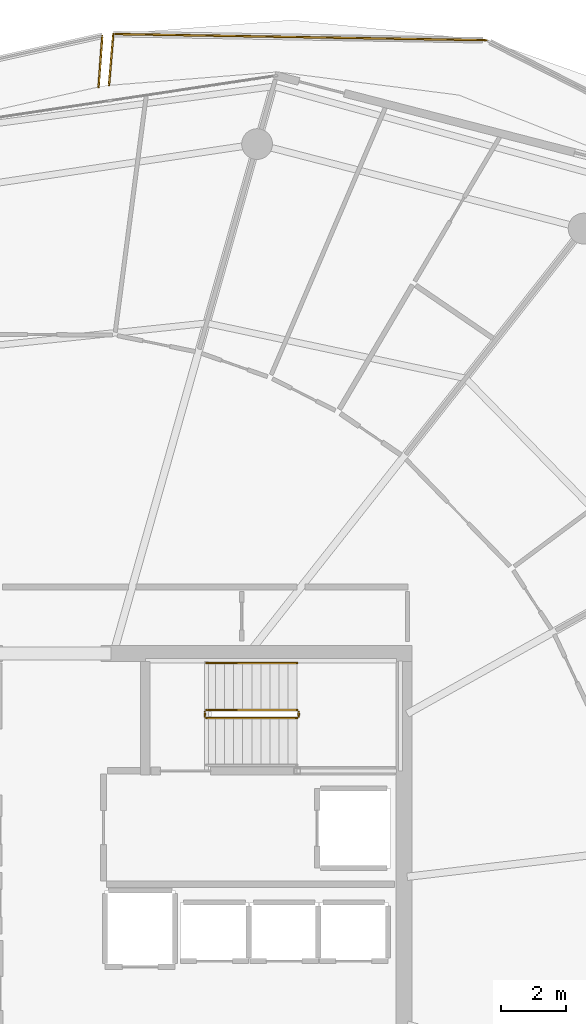
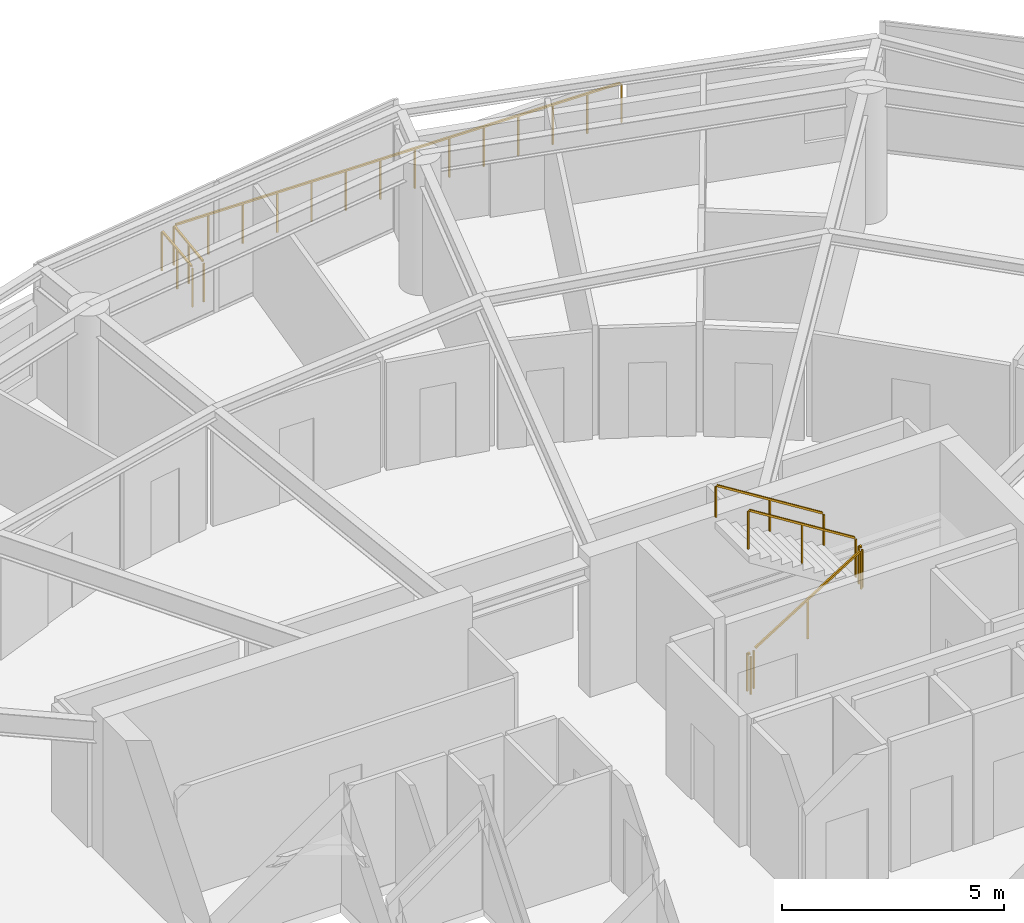
# One storey, part 29 of 30: 8 railings.
"""IFC4 building model written with IfcOpenShell, lengths in metres."""

from ifc_helpers import new_model, si_unit, direction, frame, origin, origin_2d, place, context, subcontext, project, spatial, rectangle, extrude, material, type_object, element, save


model = new_model("IFC4")

# Units and contexts
model_context = context("Model", 3, precision=1e-05, world=origin(), true_north=direction((0.0, 1.0)))
body_context = subcontext(model_context, "Body", "Model", "MODEL_VIEW")
ifc_project = project(units=[si_unit("LENGTHUNIT", "METRE"), si_unit("AREAUNIT", "SQUARE_METRE"), si_unit("VOLUMEUNIT", "CUBIC_METRE"), si_unit("PLANEANGLEUNIT", "RADIAN"), si_unit("MASSUNIT", "GRAM", prefix="KILO")], contexts=[model_context])

# Site, building, storey
site_placement = place(None, origin())
site = spatial("IfcSite", under=ifc_project, at=site_placement, CompositionType="ELEMENT")
building_placement = place(site_placement, origin())
building = spatial("IfcBuilding", under=site, at=building_placement, Name="Kazma Halo Residences", CompositionType="ELEMENT")
storey_placement = place(building_placement, frame((0.0, 0.0, 298.300048828125)))
storey = spatial("IfcBuildingStorey", under=building, at=storey_placement, Name="L75", CompositionType="ELEMENT", Elevation=298.300048828125)

# Railings
ifc_material_1 = material(Name="Aluminium AW-6063 T6 Brushed Cap Rail", Category="aluminium")
railing_type_1 = type_object("IfcRailingType", Name="RLG-BAL-CAP-1120", PredefinedType="BALUSTRADE", material=ifc_material_1)
railing_1_placement = place(storey_placement, frame((61.852783203125, 69.1875, 0.0)))
element("IfcRailing", 1, at=railing_1_placement, inside=storey, type_object=railing_type_1, Name="L75 NE wave balcony guard 3", PredefinedType="BALUSTRADE", context=body_context, shape_type="SweptSolid", body=[
    extrude(rectangle(XDim=0.050048828125, YDim=0.050048828125, at=origin_2d()), frame((-0.04248046875, 0.000732421875, 1.09521484375), z_axis=(-0.999862231462, 0.01659873776, 0.0), x_axis=(-0.01659873776, -0.999862231462, 0.0)), (0.0, 0.0, 1.0), 11.4462890625),
    extrude(rectangle(XDim=0.0400390625, YDim=0.0400390625, at=origin_2d()), origin(), (0.0, 0.0, 1.0), 1.05810546875),
    extrude(rectangle(XDim=0.0400390625, YDim=0.0400390625, at=origin_2d()), frame((-0.886962890625, 0.0146484375, 0.0)), (0.0, 0.0, 1.0), 1.05810546875),
    extrude(rectangle(XDim=0.0400390625, YDim=0.0400390625, at=origin_2d()), frame((-1.77392578125, 0.029541015625, 0.0)), (0.0, 0.0, 1.0), 1.05810546875),
    extrude(rectangle(XDim=0.0400390625, YDim=0.0400390625, at=origin_2d()), frame((-2.66064453125, 0.044189453125, 0.0)), (0.0, 0.0, 1.0), 1.05810546875),
    extrude(rectangle(XDim=0.0400390625, YDim=0.0400390625, at=origin_2d()), frame((-3.547607421875, 0.058837890625, 0.0)), (0.0, 0.0, 1.0), 1.05810546875),
    extrude(rectangle(XDim=0.0400390625, YDim=0.0400390625, at=origin_2d()), frame((-4.4345703125, 0.07373046875, 0.0)), (0.0, 0.0, 1.0), 1.05810546875),
    extrude(rectangle(XDim=0.0400390625, YDim=0.0400390625, at=origin_2d()), frame((-5.321533203125, 0.08837890625, 0.0)), (0.0, 0.0, 1.0), 1.05810546875),
    extrude(rectangle(XDim=0.0400390625, YDim=0.0400390625, at=origin_2d()), frame((-6.208251953125, 0.10302734375, 0.0)), (0.0, 0.0, 1.0), 1.05810546875),
    extrude(rectangle(XDim=0.0400390625, YDim=0.0400390625, at=origin_2d()), frame((-7.09521484375, 0.11767578125, 0.0)), (0.0, 0.0, 1.0), 1.05810546875),
    extrude(rectangle(XDim=0.0400390625, YDim=0.0400390625, at=origin_2d()), frame((-7.982177734375, 0.132568359375, 0.0)), (0.0, 0.0, 1.0), 1.05810546875),
    extrude(rectangle(XDim=0.0400390625, YDim=0.0400390625, at=origin_2d()), frame((-8.869140625, 0.147216796875, 0.0)), (0.0, 0.0, 1.0), 1.05810546875),
    extrude(rectangle(XDim=0.0400390625, YDim=0.0400390625, at=origin_2d()), frame((-9.755859375, 0.161865234375, 0.0)), (0.0, 0.0, 1.0), 1.05810546875),
    extrude(rectangle(XDim=0.0400390625, YDim=0.0400390625, at=origin_2d()), frame((-10.642822265625, 0.1767578125, 0.0)), (0.0, 0.0, 1.0), 1.05810546875),
    extrude(rectangle(XDim=0.0400390625, YDim=0.0400390625, at=origin_2d()), frame((-11.52978515625, 0.19140625, 0.0)), (0.0, 0.0, 1.0), 1.05810546875),
])
railing_2_placement = place(storey_placement, frame((50.322998046875, 69.37890625, 0.0)))
element("IfcRailing", 2, at=railing_2_placement, inside=storey, type_object=railing_type_1, Name="L75 NE wave balcony guard 4", PredefinedType="BALUSTRADE", context=body_context, shape_type="SweptSolid", body=[
    extrude(rectangle(XDim=0.050048828125, YDim=0.050048828125, at=origin_2d()), frame((-0.003662109375, -0.04248046875, 1.09521484375), z_axis=(-0.084430160174, -0.996429399432, 0.0), x_axis=(0.996429399432, -0.084430160174, 0.0)), (0.0, 0.0, 1.0), 1.50537109375),
    extrude(rectangle(XDim=0.0400390625, YDim=0.0400390625, at=origin_2d()), origin(), (0.0, 0.0, 1.0), 1.05810546875),
    extrude(rectangle(XDim=0.0400390625, YDim=0.0400390625, at=origin_2d()), frame((-0.067138671875, -0.79248046875, 0.0)), (0.0, 0.0, 1.0), 1.05810546875),
    extrude(rectangle(XDim=0.0400390625, YDim=0.0400390625, at=origin_2d()), frame((-0.13427734375, -1.584716796875, 0.0)), (0.0, 0.0, 1.0), 1.05810546875),
])
railing_3_placement = place(storey_placement, frame((49.8681640625, 67.74609375, 0.0)))
element("IfcRailing", 3, at=railing_3_placement, inside=storey, type_object=railing_type_1, Name="L75 NNW wave balcony guard 1", PredefinedType="BALUSTRADE", context=body_context, shape_type="SweptSolid", body=[
    extrude(rectangle(XDim=0.050048828125, YDim=0.050048828125, at=origin_2d()), frame((0.003173828125, 0.04248046875, 1.09521484375), z_axis=(0.072374162312, 0.997377551697, 0.0), x_axis=(-0.997377551697, 0.072374162312, 0.0)), (0.0, 0.0, 1.0), 1.50048828125),
    extrude(rectangle(XDim=0.0400390625, YDim=0.0400390625, at=origin_2d()), origin(), (0.0, 0.0, 1.0), 1.05810546875),
    extrude(rectangle(XDim=0.0400390625, YDim=0.0400390625, at=origin_2d()), frame((0.057373046875, 0.79052734375, 0.0)), (0.0, 0.0, 1.0), 1.05810546875),
    extrude(rectangle(XDim=0.0400390625, YDim=0.0400390625, at=origin_2d()), frame((0.11474609375, 1.581298828125, 0.0)), (0.0, 0.0, 1.0), 1.05810546875),
])
ifc_material_2 = material(Name="Painted Steel S355", Category="steel")
railing_type_2 = type_object("IfcRailingType", Name="RLG-STAIR-GRD-1100", PredefinedType="GUARDRAIL", material=ifc_material_2)
railing_4_placement = place(storey_placement, frame((53.199951171875, 48.25, 0.175048828125)))
element("IfcRailing", 4, at=railing_4_placement, inside=storey, type_object=railing_type_2, Name="L75 ST-02 stair guard 1", PredefinedType="GUARDRAIL", context=body_context, shape_type="SweptSolid", body=[
    extrude(rectangle(XDim=0.050048828125, YDim=0.050048828125, at=origin_2d()), frame((0.0361328125, 0.0, 1.09765625), z_axis=(0.848002457836, 0.0, 0.529992293815), x_axis=(0.0, 1.0, 0.0)), (0.0, 0.0, 1.0), 3.216796875),
    extrude(rectangle(XDim=0.0400390625, YDim=0.0400390625, at=origin_2d()), origin(), (0.0, 0.0, 1.0), 1.0380859375),
    extrude(rectangle(XDim=0.0400390625, YDim=0.0400390625, at=origin_2d()), frame((1.39990234375, 0.0, 0.875)), (0.0, 0.0, 1.0), 1.0380859375),
    extrude(rectangle(XDim=0.0400390625, YDim=0.0400390625, at=origin_2d()), frame((2.800048828125, 0.0, 1.75)), (0.0, 0.0, 1.0), 1.0380859375),
])
railing_5_placement = place(storey_placement, frame((56.050048828125, 48.300048828125, 1.925048828125)))
element("IfcRailing", 5, at=railing_5_placement, inside=storey, type_object=railing_type_2, Name="L75 ST-02 stair guard 2", PredefinedType="GUARDRAIL", context=body_context, shape_type="SweptSolid", body=[
    extrude(rectangle(XDim=0.050048828125, YDim=0.050048828125, at=origin_2d()), frame((0.0, 0.04248046875, 1.0751953125), z_axis=(0.0, 1.0, 0.0), x_axis=(-1.0, 0.0, 0.0)), (0.0, 0.0, 1.0), 0.06494140625),
    extrude(rectangle(XDim=0.0400390625, YDim=0.0400390625, at=origin_2d()), origin(), (0.0, 0.0, 1.0), 1.0380859375),
    extrude(rectangle(XDim=0.0400390625, YDim=0.0400390625, at=origin_2d()), frame((0.0, 0.14990234375, 0.0)), (0.0, 0.0, 1.0), 1.0380859375),
])
railing_6_placement = place(storey_placement, frame((56.0, 48.5, 2.099853515625)))
element("IfcRailing", 6, at=railing_6_placement, inside=storey, type_object=railing_type_2, Name="L75 ST-02 stair guard 3", PredefinedType="GUARDRAIL", context=body_context, shape_type="SweptSolid", body=[
    extrude(rectangle(XDim=0.050048828125, YDim=0.050048828125, at=origin_2d()), frame((-0.0361328125, 0.0, 1.09765625), z_axis=(-0.848002457836, 0.0, 0.529992293815), x_axis=(0.0, -1.0, 0.0)), (0.0, 0.0, 1.0), 3.216796875),
    extrude(rectangle(XDim=0.0400390625, YDim=0.0400390625, at=origin_2d()), origin(), (0.0, 0.0, 1.0), 1.0380859375),
    extrude(rectangle(XDim=0.0400390625, YDim=0.0400390625, at=origin_2d()), frame((-1.39990234375, 0.0, 0.875)), (0.0, 0.0, 1.0), 1.0380859375),
    extrude(rectangle(XDim=0.0400390625, YDim=0.0400390625, at=origin_2d()), frame((-2.800048828125, 0.0, 1.75)), (0.0, 0.0, 1.0), 1.0380859375),
])
railing_7_placement = place(storey_placement, frame((53.14990234375, 48.300048828125, 0.0)))
element("IfcRailing", 7, at=railing_7_placement, inside=storey, type_object=railing_type_2, Name="L75 ST-02 stair guard 4", PredefinedType="GUARDRAIL", context=body_context, shape_type="SweptSolid", body=[
    extrude(rectangle(XDim=0.050048828125, YDim=0.050048828125, at=origin_2d()), frame((0.0, 0.04248046875, 1.0751953125), z_axis=(0.0, 1.0, 0.0), x_axis=(-1.0, 0.0, 0.0)), (0.0, 0.0, 1.0), 0.06494140625),
    extrude(rectangle(XDim=0.0400390625, YDim=0.0400390625, at=origin_2d()), origin(), (0.0, 0.0, 1.0), 1.0380859375),
    extrude(rectangle(XDim=0.0400390625, YDim=0.0400390625, at=origin_2d()), frame((0.0, 0.14990234375, 0.0)), (0.0, 0.0, 1.0), 1.0380859375),
])
ifc_material_3 = material(Name="Brushed Stainless Steel", Category="steel")
railing_type_3 = type_object("IfcRailingType", Name="RLG-STAIR-HND-900", PredefinedType="HANDRAIL", material=ifc_material_3)
railing_8_placement = place(storey_placement, frame((56.0, 49.949951171875, 2.099853515625)))
element("IfcRailing", 8, at=railing_8_placement, inside=storey, type_object=railing_type_3, Name="L75 ST-02 stair handrail 2", PredefinedType="HANDRAIL", context=body_context, shape_type="SweptSolid", body=[
    extrude(rectangle(XDim=0.050048828125, YDim=0.050048828125, at=origin_2d()), frame((-0.0361328125, 0.0, 0.8974609375), z_axis=(-0.848002457836, 0.0, 0.529992293815), x_axis=(0.0, -1.0, 0.0)), (0.0, 0.0, 1.0), 3.216796875),
    extrude(rectangle(XDim=0.0400390625, YDim=0.0400390625, at=origin_2d()), origin(), (0.0, 0.0, 1.0), 0.837890625),
    extrude(rectangle(XDim=0.0400390625, YDim=0.0400390625, at=origin_2d()), frame((-1.39990234375, 0.0, 0.875)), (0.0, 0.0, 1.0), 0.837890625),
    extrude(rectangle(XDim=0.0400390625, YDim=0.0400390625, at=origin_2d()), frame((-2.800048828125, 0.0, 1.75)), (0.0, 0.0, 1.0), 0.837890625),
])

save(model, "model.ifc")
